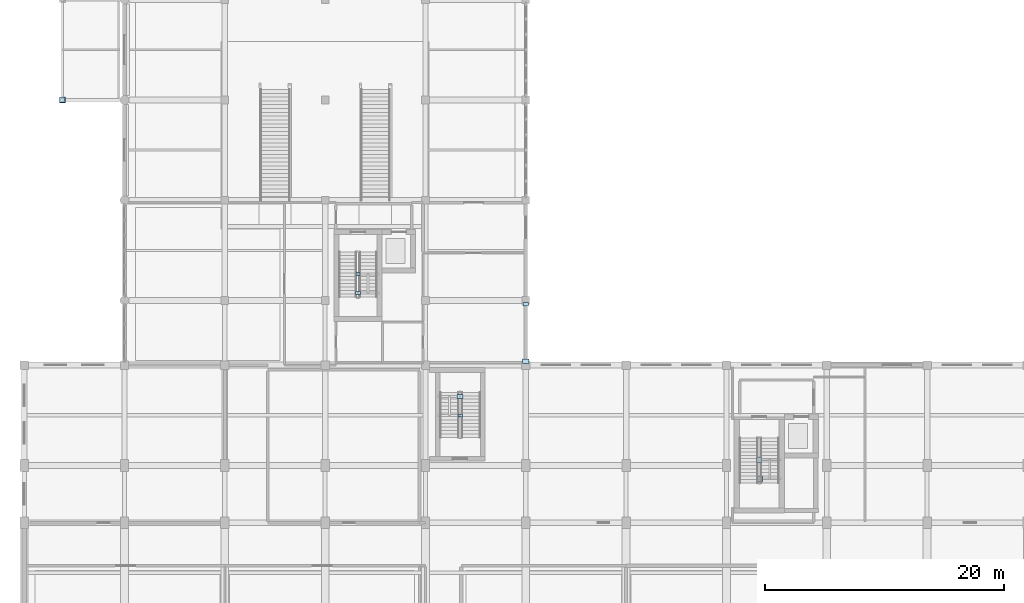
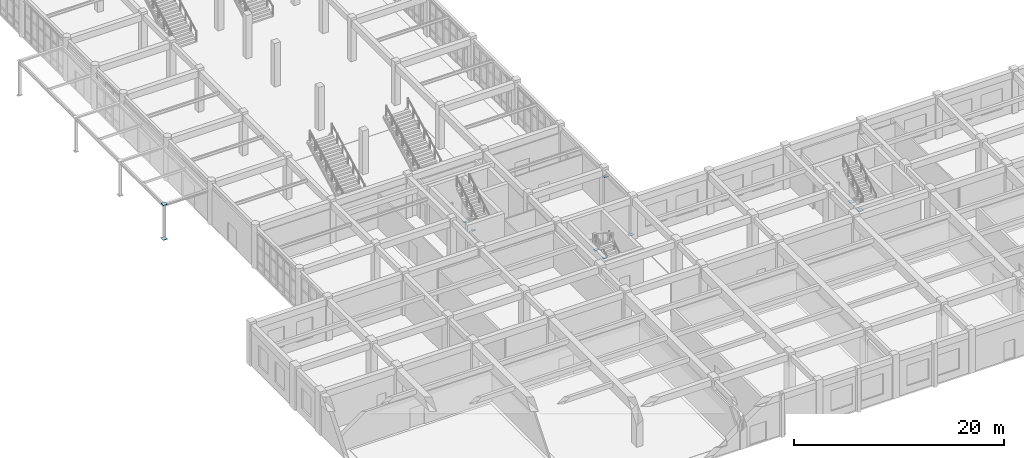
# One storey, part 51 of 80: 10 plates.
"""IFC4 building model written with IfcOpenShell, lengths in metres."""

from ifc_helpers import new_model, si_unit, direction, frame, origin, origin_2d, place, context, subcontext, project, spatial, rectangle, extrude, material, layer, layer_set, type_object, element, save


model = new_model("IFC4")

# Units and contexts
model_context = context("Model", 3, precision=1e-05, world=origin(), true_north=direction((0.0, 1.0)))
body_context = subcontext(model_context, "Body", "Model", "MODEL_VIEW")
ifc_project = project(units=[si_unit("LENGTHUNIT", "METRE"), si_unit("AREAUNIT", "SQUARE_METRE"), si_unit("VOLUMEUNIT", "CUBIC_METRE"), si_unit("PLANEANGLEUNIT", "RADIAN"), si_unit("MASSUNIT", "GRAM", prefix="KILO")], contexts=[model_context])

# Site, building, storey
site_placement = place(None, origin())
site = spatial("IfcSite", under=ifc_project, at=site_placement, CompositionType="ELEMENT")
building_placement = place(site_placement, origin())
building = spatial("IfcBuilding", under=site, at=building_placement, Name="Krzemoval Escarpment Law Courts", CompositionType="ELEMENT")
storey_placement = place(building_placement, origin())
storey = spatial("IfcBuildingStorey", under=building, at=storey_placement, Name="L00", CompositionType="ELEMENT", Elevation=0.0)

# Plates
ifc_material_1 = material(Name="Steel S355", Category="steel")
ifc_layer_1 = layer(ifc_material_1, 0.034912109375)
ifc_layer_set_1 = layer_set([ifc_layer_1], Name="Steel S355")
plate_type_1 = type_object("IfcPlateType", Name="PLT-FLG-35", PredefinedType="USERDEFINED", material=ifc_layer_set_1)
for number, where, z_axis, x_axis, name in (
    (1, (3.199951171875, 57.60009765625, 4.00244140625), (0.0, 0.0, 1.0), (1.0, 0.0, 0.0), "Gusset and End-Cap Plate ECP-0027"),
    (2, (61.550048828125, 27.47998046875, 2.1025390625), (0.0, 0.0, 1.0), (1.0, 0.0, 0.0), "Gusset and End-Cap Plate ECP-0365"),
):
    element("IfcPlate", number, at=place(storey_placement, frame(where, z_axis=z_axis, x_axis=x_axis)), inside=storey, type_object=plate_type_1, Name=name, ObjectType="FLANGE_PLATE", PredefinedType="USERDEFINED", context=body_context, shape_type="SweptSolid", body=[
        extrude(rectangle(XDim=0.4599609375, YDim=0.4599609375, at=origin_2d()), origin(), (0.0, 0.0, 1.0), 0.034912109375),
    ])
ifc_material_2 = material(Name="Steel S355", Category="steel")
ifc_layer_2 = layer(ifc_material_2, 0.0400390625)
ifc_layer_set_2 = layer_set([ifc_layer_2], Name="Steel S355")
plate_type_2 = type_object("IfcPlateType", Name="PLT-FLG-40", PredefinedType="USERDEFINED", material=ifc_layer_set_2)
for number, where, z_axis, x_axis, name in (
    (3, (3.199951171875, 57.60009765625, -0.02001953125), (0.0, 0.0, 1.0), (1.0, 0.0, 0.0), "Gusset and End-Cap Plate ECP-0026"),
    (4, (61.550048828125, 25.8798828125, 2.10009765625), (0.0, 0.0, 1.0), (1.0, 0.0, 0.0), "Gusset and End-Cap Plate ECP-0364"),
):
    element("IfcPlate", number, at=place(storey_placement, frame(where, z_axis=z_axis, x_axis=x_axis)), inside=storey, type_object=plate_type_2, Name=name, ObjectType="FLANGE_PLATE", PredefinedType="USERDEFINED", context=body_context, shape_type="SweptSolid", body=[
        extrude(rectangle(XDim=0.5, YDim=0.5, at=origin_2d()), origin(), (0.0, 0.0, 1.0), 0.0400390625),
    ])
ifc_material_3 = material(Name="Steel S355", Category="steel")
ifc_layer_3 = layer(ifc_material_3, 0.011962890625)
ifc_layer_set_3 = layer_set([ifc_layer_3], Name="Steel S355")
plate_type_3 = type_object("IfcPlateType", Name="PLT-GUS-12", PredefinedType="USERDEFINED", material=ifc_layer_set_3)
plate_1_placement = place(storey_placement, frame((27.949951171875, 43.030029296875, 2.1142578125), z_axis=(0.0, 0.0, 1.0), x_axis=(1.0, 0.0, 0.0)))
element("IfcPlate", 5, at=plate_1_placement, inside=storey, type_object=plate_type_3, Name="Gusset and End-Cap Plate ECP-0377", ObjectType="GUSSET_PLATE", PredefinedType="USERDEFINED", context=body_context, shape_type="SweptSolid", body=[
    extrude(rectangle(XDim=0.340087890625, YDim=0.219970703125, at=origin_2d()), origin(), (0.0, 0.0, 1.0), 0.011962890625),
])
ifc_material_4 = material(Name="Steel S355", Category="steel")
ifc_layer_4 = layer(ifc_material_4, 0.01611328125)
ifc_layer_set_4 = layer_set([ifc_layer_4], Name="Steel S355")
plate_type_4 = type_object("IfcPlateType", Name="PLT-GUS-16", PredefinedType="USERDEFINED", material=ifc_layer_set_4)
for number, where, z_axis, x_axis, name in (
    (6, (27.949951171875, 41.429931640625, 2.112060546875), (0.0, 0.0, 1.0), (1.0, 0.0, 0.0), "Gusset and End-Cap Plate ECP-0376"),
    (7, (36.5, 31.169921875, 2.112060546875), (0.0, 0.0, 1.0), (1.0, 0.0, 0.0), "Gusset and End-Cap Plate ECP-0397"),
):
    element("IfcPlate", number, at=place(storey_placement, frame(where, z_axis=z_axis, x_axis=x_axis)), inside=storey, type_object=plate_type_4, Name=name, ObjectType="GUSSET_PLATE", PredefinedType="USERDEFINED", context=body_context, shape_type="SweptSolid", body=[
        extrude(rectangle(XDim=0.3798828125, YDim=0.260009765625, at=origin_2d()), origin(), (0.0, 0.0, 1.0), 0.01611328125),
    ])
ifc_material_5 = material(Name="Steel S355", Category="steel")
ifc_layer_5 = layer(ifc_material_5, 0.02001953125)
ifc_layer_set_5 = layer_set([ifc_layer_5], Name="Steel S355")
plate_type_5 = type_object("IfcPlateType", Name="PLT-GUS-20", PredefinedType="USERDEFINED", material=ifc_layer_set_5)
for number, where, z_axis, x_axis, name in (
    (8, (42.0, 40.5, 4.030029296875), (0.0, 0.0, 1.0), (1.0, 0.0, 0.0), "Gusset and End-Cap Plate ECP-0257"),
    (9, (36.5, 32.77001953125, 2.110107421875), (0.0, 0.0, 1.0), (1.0, 0.0, 0.0), "Gusset and End-Cap Plate ECP-0396"),
):
    element("IfcPlate", number, at=place(storey_placement, frame(where, z_axis=z_axis, x_axis=x_axis)), inside=storey, type_object=plate_type_5, Name=name, ObjectType="GUSSET_PLATE", PredefinedType="USERDEFINED", context=body_context, shape_type="SweptSolid", body=[
        extrude(rectangle(XDim=0.47998046875, YDim=0.320068359375, at=origin_2d()), origin(), (0.0, 0.0, 1.0), 0.02001953125),
    ])
ifc_material_6 = material(Name="Steel S355", Category="steel")
ifc_layer_6 = layer(ifc_material_6, 0.030029296875)
ifc_layer_set_6 = layer_set([ifc_layer_6], Name="Steel S355")
plate_type_6 = type_object("IfcPlateType", Name="PLT-GUS-30", PredefinedType="USERDEFINED", material=ifc_layer_set_6)
plate_2_placement = place(storey_placement, frame((42.0, 35.72509765625, 0.125), z_axis=(0.0, 0.0, 1.0), x_axis=(1.0, 0.0, 0.0)))
element("IfcPlate", 10, at=plate_2_placement, inside=storey, type_object=plate_type_6, Name="Gusset and End-Cap Plate ECP-0256", ObjectType="GUSSET_PLATE", PredefinedType="USERDEFINED", context=body_context, shape_type="SweptSolid", body=[
    extrude(rectangle(XDim=0.56005859375, YDim=0.360107421875, at=origin_2d()), origin(), (0.0, 0.0, 1.0), 0.030029296875),
])

save(model, "model.ifc")
